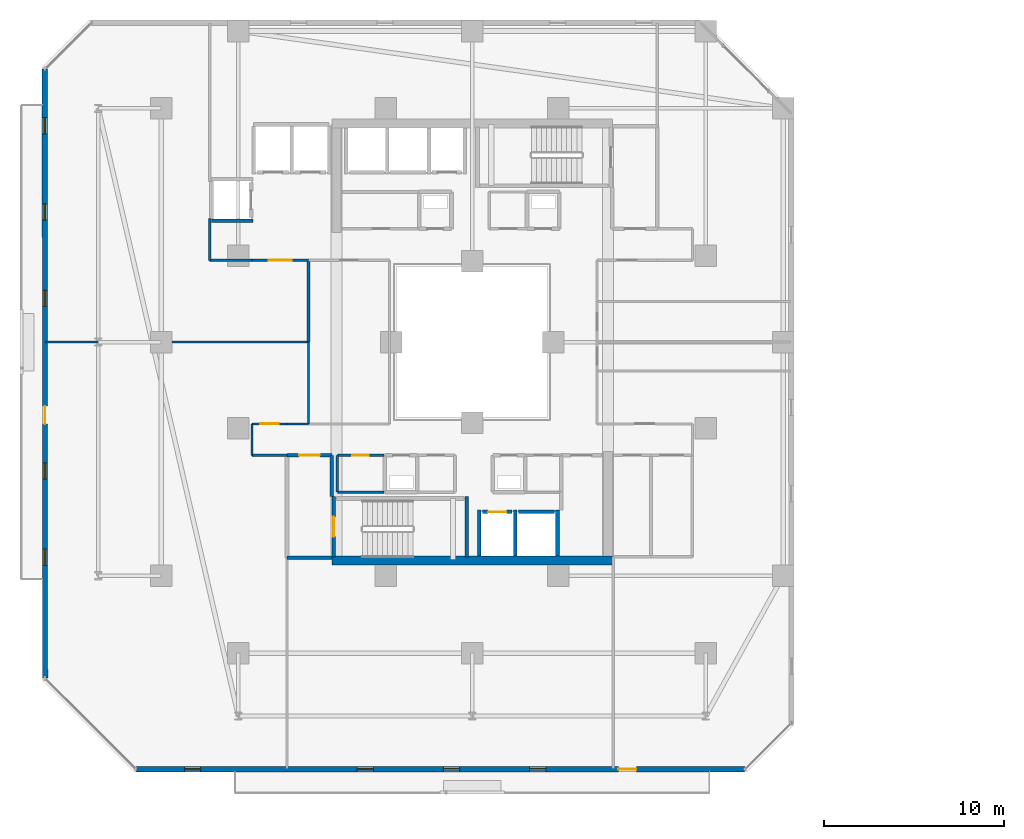
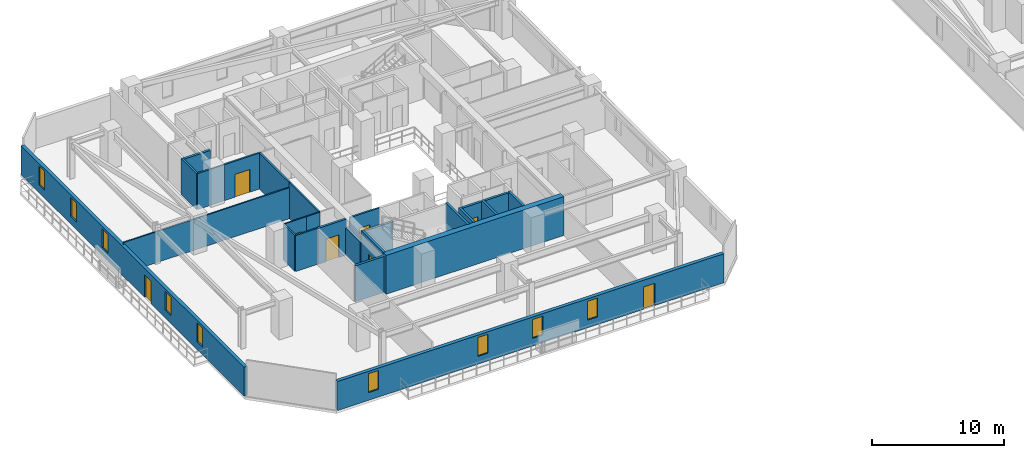
# One storey, part 18 of 33: 27 walls, 9 windows, 8 doors, 17 openings.
"""IFC4 building model written with IfcOpenShell, lengths in metres."""

from ifc_helpers import new_model, si_unit, direction, frame, frame_2d, origin, place, context, subcontext, project, spatial, rectangle, extrude, material, layer, layer_set, type_object, element, fill, save


model = new_model("IFC4")

# Units and contexts
model_context = context("Model", 3, precision=1e-05, world=origin(), true_north=direction((0.0, 1.0)))
body_context = subcontext(model_context, "Body", "Model", "MODEL_VIEW")
ifc_project = project(units=[si_unit("LENGTHUNIT", "METRE"), si_unit("AREAUNIT", "SQUARE_METRE"), si_unit("VOLUMEUNIT", "CUBIC_METRE"), si_unit("PLANEANGLEUNIT", "RADIAN"), si_unit("MASSUNIT", "GRAM", prefix="KILO")], contexts=[model_context])

# Site, building, storey
site_placement = place(None, origin())
site = spatial("IfcSite", under=ifc_project, at=site_placement, CompositionType="ELEMENT")
building_placement = place(site_placement, origin())
building = spatial("IfcBuilding", under=site, at=building_placement, Name="Thornwick Lancets Civic Towers", CompositionType="ELEMENT")
storey_placement = place(building_placement, frame((0.0, 0.0, 134.10009765625)))
storey = spatial("IfcBuildingStorey", under=building, at=storey_placement, Name="L35", CompositionType="ELEMENT", Elevation=134.10009765625)

# Wall, opening, door
ifc_material_1 = material(Name="Concrete blockwork C40/50", Category="masonry")
ifc_layer_1 = layer(ifc_material_1, 0.199951171875, Name="Concrete blockwork C40/50")
ifc_layer_set_1 = layer_set([ifc_layer_1], Name="Concrete blockwork C40/50")
wall_type_1 = type_object("IfcWallType", Name="WALL_COMP_200", PredefinedType="STANDARD", material=ifc_layer_set_1)
wall_1_placement = place(storey_placement, frame((26.080078125, 17.550048828125, 0.0), z_axis=(0.0, 0.0, 1.0), x_axis=(1.0, 0.0, 0.0)))
wall_1 = element("IfcWall", 1, at=wall_1_placement, inside=storey, type_object=wall_type_1, Name="L35 Hoistway Front Wall FL-A1", PredefinedType="STANDARD", context=body_context, shape_type="SweptSolid", body=[
    extrude(rectangle(XDim=1.639892578125, YDim=0.199951171875, at=frame_2d((0.81982421875, 0.0))), origin(), (0.0, 0.0, 1.0), 3.33984375),
])
opening_1_placement = place(wall_1_placement, frame((0.31005859375, 0.0, 0.0)))
opening_1 = element("IfcOpeningElement", 2, at=opening_1_placement, cuts=wall_1, Name="Opening LD-FL-A1", PredefinedType="OPENING", context=body_context, shape_type="SweptSolid", body=[
    extrude(rectangle(XDim=1.02001953125, YDim=2.06005859375, at=frame_2d((0.510009765625, 1.030029296875))), frame((0.0, 0.10986328125, 0.0), z_axis=(0.0, -1.0, 0.0), x_axis=(1.0, 0.0, 0.0)), (0.0, 0.0, 1.0), 0.219970703125),
])
ifc_material_2 = material(Name="Brushed bronze stainless steel", Category="steel")
door_type_1 = type_object("IfcDoorType", Name="DOOR_LIFT_SLIDE", OperationType="SLIDING_TO_LEFT", PredefinedType="DOOR", material=ifc_material_2)
door_1_placement = place(opening_1_placement, origin())
door_1 = element("IfcDoor", 3, at=door_1_placement, inside=storey, type_object=door_type_1, Name="L35 Sliding Lift Landing Door LD-FL-A1", OperationType="SLIDING_TO_LEFT", OverallHeight=2.06005859375, OverallWidth=1.02001953125, PredefinedType="DOOR", context=body_context, shape_type="SweptSolid", body=[
    extrude(rectangle(XDim=1.02001953125, YDim=2.06005859375, at=frame_2d((0.510009765625, 1.030029296875))), frame((0.0, 0.02490234375, 0.0), z_axis=(0.0, -1.0, 0.0), x_axis=(1.0, 0.0, 0.0)), (0.0, 0.0, 1.0), 0.050048828125),
])
fill(opening_1, door_1)

# Walls
wall_2_placement = place(storey_placement, frame((28.080078125, 17.550048828125, 0.0), z_axis=(0.0, 0.0, 1.0), x_axis=(1.0, 0.0, 0.0)))
element("IfcWall", 4, at=wall_2_placement, inside=storey, type_object=wall_type_1, Name="L35 Hoistway Front Wall PL-AH1", PredefinedType="STANDARD", context=body_context, shape_type="SweptSolid", body=[
    extrude(rectangle(XDim=1.989990234375, YDim=0.199951171875, at=frame_2d((0.9951171875, 0.0))), origin(), (0.0, 0.0, 1.0), 3.33984375),
])
for number, where, z_axis, x_axis, name in (
    (5, (27.89990234375, 15.112060546875, 0.0), (0.0, 0.0, 1.0), (0.0, 1.0, 0.0), "L35 Hoistway Shaft Wall FL-A1 E"),
    (6, (25.89990234375, 15.112060546875, 0.0), (0.0, 0.0, 1.0), (0.0, 1.0, 0.0), "L35 Hoistway Shaft Wall FL-A1 W"),
    (7, (30.25, 15.112060546875, 0.0), (0.0, 0.0, 1.0), (0.0, 1.0, 0.0), "L35 Hoistway Shaft Wall PL-AH1 E"),
):
    element("IfcWall", number, at=place(storey_placement, frame(where, z_axis=z_axis, x_axis=x_axis)), inside=storey, type_object=wall_type_1, Name=name, PredefinedType="STANDARD", context=body_context, shape_type="SweptSolid", body=[
        extrude(rectangle(XDim=2.535888671875, YDim=0.199951171875, at=frame_2d((1.26806640625, 0.0))), origin(), (0.0, 0.0, 1.0), 3.33984375),
    ])
wall_3_placement = place(storey_placement, frame((11.001953125, 33.75, 0.0), z_axis=(0.0, 0.0, 1.0), x_axis=(1.0, 0.0, 0.0)))
element("IfcWall", 8, at=wall_3_placement, inside=storey, type_object=wall_type_1, Name="L35 Hoistway Shaft Wall PL-AM3 S", PredefinedType="STANDARD", context=body_context, shape_type="SweptSolid", body=[
    extrude(rectangle(XDim=2.296142578125, YDim=0.199951171875, at=frame_2d((1.14794921875, 0.0))), origin(), (0.0, 0.0, 1.0), 3.33984375),
])
wall_4_placement = place(storey_placement, frame((15.199951171875, 15.0, 0.0), z_axis=(0.0, 0.0, 1.0), x_axis=(1.0, 0.0, 0.0)))
element("IfcWall", 9, at=wall_4_placement, inside=storey, type_object=wall_type_1, Name="L35 Partition L35-A-FFLOB1 E1", PredefinedType="STANDARD", context=body_context, shape_type="SweptSolid", body=[
    extrude(rectangle(XDim=2.5, YDim=0.199951171875, at=frame_2d((1.25, 0.0))), origin(), (0.0, 0.0, 1.0), 3.33984375),
])
wall_5_placement = place(storey_placement, frame((17.699951171875, 18.39990234375, 0.0), z_axis=(0.0, 0.0, 1.0), x_axis=(0.0, 1.0, 0.0)))
element("IfcWall", 10, at=wall_5_placement, inside=storey, type_object=wall_type_1, Name="L35 Partition L35-A-FFLOB1 E2", PredefinedType="STANDARD", context=body_context, shape_type="SweptSolid", body=[
    extrude(rectangle(XDim=2.300048828125, YDim=0.199951171875, at=frame_2d((1.14990234375, 0.0))), origin(), (0.0, 0.0, 1.0), 2.544921875),
])

# Wall, opening, door
wall_6_placement = place(storey_placement, frame((17.699951171875, 20.699951171875, 0.0), z_axis=(0.0, 0.0, 1.0), x_axis=(-1.0, 0.0, 0.0)))
wall_6 = element("IfcWall", 11, at=wall_6_placement, inside=storey, type_object=wall_type_1, Name="L35 Partition L35-A-FFLOB1 E3", PredefinedType="STANDARD", context=body_context, shape_type="SweptSolid", body=[
    extrude(rectangle(XDim=2.5, YDim=0.199951171875, at=frame_2d((1.25, 0.0))), origin(), (0.0, 0.0, 1.0), 3.33984375),
])
opening_2_placement = place(wall_6_placement, frame((0.675048828125, 0.0, 0.0)))
opening_2 = element("IfcOpeningElement", 12, at=opening_2_placement, cuts=wall_6, Name="Opening D-L35-1575", PredefinedType="OPENING", context=body_context, shape_type="SweptSolid", body=[
    extrude(rectangle(XDim=1.14990234375, YDim=2.10009765625, at=frame_2d((0.574951171875, 1.050048828125))), frame((0.0, 0.10986328125, 0.0), z_axis=(0.0, -1.0, 0.0), x_axis=(1.0, 0.0, 0.0)), (0.0, 0.0, 1.0), 0.219970703125),
])
ifc_material_3 = material(Name="Glazed fire-resisting steel", Category="steel")
door_type_2 = type_object("IfcDoorType", Name="DOOR_LOBBY_FD60", OperationType="NOTDEFINED", PredefinedType="DOOR", material=ifc_material_3)
door_2_placement = place(opening_2_placement, origin())
door_2 = element("IfcDoor", 13, at=door_2_placement, inside=storey, type_object=door_type_2, Name="L35 South Firefighting Lobby 1 Door", OperationType="SINGLE_SWING_RIGHT", OverallHeight=2.10009765625, OverallWidth=1.14990234375, PredefinedType="DOOR", context=body_context, shape_type="SweptSolid", body=[
    extrude(rectangle(XDim=1.14990234375, YDim=2.10009765625, at=frame_2d((0.574951171875, 1.050048828125))), frame((0.0, 0.02490234375, 0.0), z_axis=(0.0, -1.0, 0.0), x_axis=(1.0, 0.0, 0.0)), (0.0, 0.0, 1.0), 0.050048828125),
])
fill(opening_2, door_2)

# Wall
ifc_material_4 = material(Name="Concrete C50/60", Category="concrete")
ifc_layer_2 = layer(ifc_material_4, 0.5, Name="Concrete C50/60")
ifc_layer_set_2 = layer_set([ifc_layer_2], Name="Concrete C50/60")
wall_type_2 = type_object("IfcWallType", Name="WALL_CORE_500", PredefinedType="SHEAR", material=ifc_layer_set_2)
wall_7_placement = place(storey_placement, frame((17.699951171875, 14.85009765625, 0.0), z_axis=(0.0, 0.0, 1.0), x_axis=(1.0, 0.0, 0.0)))
element("IfcWall", 14, at=wall_7_placement, inside=storey, type_object=wall_type_2, Name="L35 Split Core A1 Shear Wall S", PredefinedType="SHEAR", context=body_context, shape_type="SweptSolid", body=[
    extrude(rectangle(XDim=15.60009765625, YDim=0.5, at=frame_2d((7.800048828125, 0.0))), origin(), (0.0, 0.0, 1.0), 3.599853515625),
])

# Wall, openings, door, windows
ifc_material_5 = material(Name="Insulated russet terracotta rainscreen on concrete C40/50", Category="masonry")
ifc_layer_3 = layer(ifc_material_5, 0.300048828125, Name="Insulated russet terracotta rainscreen on concrete C40/50")
ifc_layer_set_3 = layer_set([ifc_layer_3], Name="Insulated russet terracotta rainscreen on concrete C40/50")
wall_type_3 = type_object("IfcWallType", Name="WALL_EXT_RUSSET_300", PredefinedType="STANDARD", material=ifc_layer_set_3)
wall_8_placement = place(storey_placement, frame((6.800537109375, 3.24365234375, 0.0), z_axis=(0.0, 0.0, 1.0), x_axis=(0.999999969988, -0.000244999128, 0.0)))
wall_8 = element("IfcWall", 15, at=wall_8_placement, inside=storey, type_object=wall_type_3, Name="L35 Tower A Terracotta Facade Wall E0", PredefinedType="STANDARD", context=body_context, shape_type="SweptSolid", body=[
    extrude(rectangle(XDim=33.880859375, YDim=0.300048828125, at=frame_2d((16.9404296875, 0.0))), origin(), (0.0, 0.0, 1.0), 2.699951171875),
])
opening_3_placement = place(wall_8_placement, frame((26.84033203125, 0.0, 0.0)))
opening_3 = element("IfcOpeningElement", 16, at=opening_3_placement, cuts=wall_8, Name="Opening D-BL-L35-AS", PredefinedType="OPENING", context=body_context, shape_type="SweptSolid", body=[
    extrude(rectangle(XDim=1.0, YDim=2.080078125, at=frame_2d((0.5, 1.0400390625))), frame((0.0, 0.16015625, 0.0), z_axis=(0.0, -1.0, 0.0), x_axis=(1.0, 0.0, 0.0)), (0.0, 0.0, 1.0), 0.320068359375),
])
opening_4_placement = place(wall_8_placement, frame((2.699951171875, 0.0, 0.719970703125)))
opening_4 = element("IfcOpeningElement", 17, at=opening_4_placement, cuts=wall_8, Name="Opening WL-01", PredefinedType="OPENING", context=body_context, shape_type="SweptSolid", body=[
    extrude(rectangle(XDim=0.89990234375, YDim=1.75, at=frame_2d((0.449951171875, 0.875))), frame((0.0, 0.16015625, 0.0), z_axis=(0.0, -1.0, 0.0), x_axis=(1.0, 0.0, 0.0)), (0.0, 0.0, 1.0), 0.320068359375),
])
opening_5_placement = place(wall_8_placement, frame((12.300048828125, 0.0, 0.719970703125)))
opening_5 = element("IfcOpeningElement", 18, at=opening_5_placement, cuts=wall_8, Name="Opening WL-01", PredefinedType="OPENING", context=body_context, shape_type="SweptSolid", body=[
    extrude(rectangle(XDim=0.89990234375, YDim=1.75, at=frame_2d((0.449951171875, 0.875))), frame((0.0, 0.16015625, 0.0), z_axis=(0.0, -1.0, 0.0), x_axis=(1.0, 0.0, 0.0)), (0.0, 0.0, 1.0), 0.320068359375),
])
opening_6_placement = place(wall_8_placement, frame((17.10009765625, 0.0, 0.719970703125)))
opening_6 = element("IfcOpeningElement", 19, at=opening_6_placement, cuts=wall_8, Name="Opening WL-01", PredefinedType="OPENING", context=body_context, shape_type="SweptSolid", body=[
    extrude(rectangle(XDim=0.89990234375, YDim=1.75, at=frame_2d((0.449951171875, 0.875))), frame((0.0, 0.16015625, 0.0), z_axis=(0.0, -1.0, 0.0), x_axis=(1.0, 0.0, 0.0)), (0.0, 0.0, 1.0), 0.320068359375),
])
opening_7_placement = place(wall_8_placement, frame((21.89990234375, 0.0, 0.719970703125)))
opening_7 = element("IfcOpeningElement", 20, at=opening_7_placement, cuts=wall_8, Name="Opening WL-01", PredefinedType="OPENING", context=body_context, shape_type="SweptSolid", body=[
    extrude(rectangle(XDim=0.89990234375, YDim=1.75, at=frame_2d((0.449951171875, 0.875))), frame((0.0, 0.16015625, 0.0), z_axis=(0.0, -1.0, 0.0), x_axis=(1.0, 0.0, 0.0)), (0.0, 0.0, 1.0), 0.320068359375),
])
ifc_material_6 = material(Name="Thermally broken glazed loggia doorset")
door_type_3 = type_object("IfcDoorType", Name="DOOR_BALC_1000", OperationType="NOTDEFINED", PredefinedType="DOOR", material=ifc_material_6)
door_3_placement = place(opening_3_placement, origin())
door_3 = element("IfcDoor", 21, at=door_3_placement, inside=storey, type_object=door_type_3, Name="L35 Tower A Loggia Balcony Door S", OperationType="SINGLE_SWING_RIGHT", OverallHeight=2.080078125, OverallWidth=1.0, PredefinedType="DOOR", context=body_context, shape_type="SweptSolid", body=[
    extrude(rectangle(XDim=1.0, YDim=2.080078125, at=frame_2d((0.5, 1.0400390625))), frame((0.0, 0.02490234375, 0.0), z_axis=(0.0, -1.0, 0.0), x_axis=(1.0, 0.0, 0.0)), (0.0, 0.0, 1.0), 0.050048828125),
])
fill(opening_3, door_3)
ifc_material_7 = material(Name="Clear low-e double glazing in bronze frame", Category="glass")
window_type = type_object("IfcWindowType", Name="WIN_LANCET_900", PartitioningType="SINGLE_PANEL", PredefinedType="WINDOW", material=ifc_material_7)
window_1_placement = place(opening_4_placement, origin())
window_1 = element("IfcWindow", 22, at=window_1_placement, inside=storey, type_object=window_type, Name="L35 Tower A Staggered Lancet Window E0-1", OverallHeight=1.75, OverallWidth=0.89990234375, PartitioningType="SINGLE_PANEL", PredefinedType="WINDOW", context=body_context, shape_type="SweptSolid", body=[
    extrude(rectangle(XDim=0.89990234375, YDim=1.75, at=frame_2d((0.449951171875, 0.875))), frame((0.0, 0.030029296875, 0.0), z_axis=(0.0, -1.0, 0.0), x_axis=(1.0, 0.0, 0.0)), (0.0, 0.0, 1.0), 0.06005859375),
])
fill(opening_4, window_1)
window_2_placement = place(opening_5_placement, origin())
window_2 = element("IfcWindow", 23, at=window_2_placement, inside=storey, type_object=window_type, Name="L35 Tower A Staggered Lancet Window E0-2", OverallHeight=1.75, OverallWidth=0.89990234375, PartitioningType="SINGLE_PANEL", PredefinedType="WINDOW", context=body_context, shape_type="SweptSolid", body=[
    extrude(rectangle(XDim=0.89990234375, YDim=1.75, at=frame_2d((0.449951171875, 0.875))), frame((0.0, 0.030029296875, 0.0), z_axis=(0.0, -1.0, 0.0), x_axis=(1.0, 0.0, 0.0)), (0.0, 0.0, 1.0), 0.06005859375),
])
fill(opening_5, window_2)
window_3_placement = place(opening_6_placement, origin())
window_3 = element("IfcWindow", 24, at=window_3_placement, inside=storey, type_object=window_type, Name="L35 Tower A Staggered Lancet Window E0-3", OverallHeight=1.75, OverallWidth=0.89990234375, PartitioningType="SINGLE_PANEL", PredefinedType="WINDOW", context=body_context, shape_type="SweptSolid", body=[
    extrude(rectangle(XDim=0.89990234375, YDim=1.75, at=frame_2d((0.449951171875, 0.875))), frame((0.0, 0.030029296875, 0.0), z_axis=(0.0, -1.0, 0.0), x_axis=(1.0, 0.0, 0.0)), (0.0, 0.0, 1.0), 0.06005859375),
])
fill(opening_6, window_3)
window_4_placement = place(opening_7_placement, origin())
window_4 = element("IfcWindow", 25, at=window_4_placement, inside=storey, type_object=window_type, Name="L35 Tower A Staggered Lancet Window E0-4", OverallHeight=1.75, OverallWidth=0.89990234375, PartitioningType="SINGLE_PANEL", PredefinedType="WINDOW", context=body_context, shape_type="SweptSolid", body=[
    extrude(rectangle(XDim=0.89990234375, YDim=1.75, at=frame_2d((0.449951171875, 0.875))), frame((0.0, 0.030029296875, 0.0), z_axis=(0.0, -1.0, 0.0), x_axis=(1.0, 0.0, 0.0)), (0.0, 0.0, 1.0), 0.06005859375),
])
fill(opening_7, window_4)

wall_9_placement = place(storey_placement, frame((1.7353515625, 42.181396484375, 0.0), z_axis=(0.0, 0.0, 1.0), x_axis=(0.000244999128, -0.999999969988, 0.0)))
wall_9 = element("IfcWall", 26, at=wall_9_placement, inside=storey, type_object=wall_type_3, Name="L35 Tower A Terracotta Facade Wall E6", PredefinedType="STANDARD", context=body_context, shape_type="SweptSolid", body=[
    extrude(rectangle(XDim=33.880859375, YDim=0.300048828125, at=frame_2d((16.9404296875, 0.0))), origin(), (0.0, 0.0, 1.0), 2.699951171875),
])
opening_8_placement = place(wall_9_placement, frame((18.740478515625, 0.0, 0.0)))
opening_8 = element("IfcOpeningElement", 27, at=opening_8_placement, cuts=wall_9, Name="Opening D-BL-L35-AW", PredefinedType="OPENING", context=body_context, shape_type="SweptSolid", body=[
    extrude(rectangle(XDim=1.0, YDim=2.080078125, at=frame_2d((0.5, 1.0400390625))), frame((0.0, 0.16015625, 0.0), z_axis=(0.0, -1.0, 0.0), x_axis=(1.0, 0.0, 0.0)), (0.0, 0.0, 1.0), 0.320068359375),
])
opening_9_placement = place(wall_9_placement, frame((2.699951171875, 0.0, 0.719970703125)))
opening_9 = element("IfcOpeningElement", 28, at=opening_9_placement, cuts=wall_9, Name="Opening WL-01", PredefinedType="OPENING", context=body_context, shape_type="SweptSolid", body=[
    extrude(rectangle(XDim=0.89990234375, YDim=1.75, at=frame_2d((0.449951171875, 0.875))), frame((0.0, 0.16015625, 0.0), z_axis=(0.0, -1.0, 0.0), x_axis=(1.0, 0.0, 0.0)), (0.0, 0.0, 1.0), 0.320068359375),
])
opening_10_placement = place(wall_9_placement, frame((7.5, 0.0, 0.719970703125)))
opening_10 = element("IfcOpeningElement", 29, at=opening_10_placement, cuts=wall_9, Name="Opening WL-01", PredefinedType="OPENING", context=body_context, shape_type="SweptSolid", body=[
    extrude(rectangle(XDim=0.89990234375, YDim=1.75, at=frame_2d((0.449951171875, 0.875))), frame((0.0, 0.16015625, 0.0), z_axis=(0.0, -1.0, 0.0), x_axis=(1.0, 0.0, 0.0)), (0.0, 0.0, 1.0), 0.320068359375),
])
opening_11_placement = place(wall_9_placement, frame((12.300048828125, 0.0, 0.719970703125)))
opening_11 = element("IfcOpeningElement", 30, at=opening_11_placement, cuts=wall_9, Name="Opening WL-01", PredefinedType="OPENING", context=body_context, shape_type="SweptSolid", body=[
    extrude(rectangle(XDim=0.89990234375, YDim=1.75, at=frame_2d((0.449951171875, 0.875))), frame((0.0, 0.16015625, 0.0), z_axis=(0.0, -1.0, 0.0), x_axis=(1.0, 0.0, 0.0)), (0.0, 0.0, 1.0), 0.320068359375),
])
opening_12_placement = place(wall_9_placement, frame((21.89990234375, 0.0, 0.719970703125)))
opening_12 = element("IfcOpeningElement", 31, at=opening_12_placement, cuts=wall_9, Name="Opening WL-01", PredefinedType="OPENING", context=body_context, shape_type="SweptSolid", body=[
    extrude(rectangle(XDim=0.89990234375, YDim=1.75, at=frame_2d((0.449951171875, 0.875))), frame((0.0, 0.16015625, 0.0), z_axis=(0.0, -1.0, 0.0), x_axis=(1.0, 0.0, 0.0)), (0.0, 0.0, 1.0), 0.320068359375),
])
opening_13_placement = place(wall_9_placement, frame((26.699951171875, 0.0, 0.719970703125)))
opening_13 = element("IfcOpeningElement", 32, at=opening_13_placement, cuts=wall_9, Name="Opening WL-01", PredefinedType="OPENING", context=body_context, shape_type="SweptSolid", body=[
    extrude(rectangle(XDim=0.89990234375, YDim=1.75, at=frame_2d((0.449951171875, 0.875))), frame((0.0, 0.16015625, 0.0), z_axis=(0.0, -1.0, 0.0), x_axis=(1.0, 0.0, 0.0)), (0.0, 0.0, 1.0), 0.320068359375),
])
door_4_placement = place(opening_8_placement, origin())
door_4 = element("IfcDoor", 33, at=door_4_placement, inside=storey, type_object=door_type_3, Name="L35 Tower A Loggia Balcony Door W", OperationType="SINGLE_SWING_RIGHT", OverallHeight=2.080078125, OverallWidth=1.0, PredefinedType="DOOR", context=body_context, shape_type="SweptSolid", body=[
    extrude(rectangle(XDim=1.0, YDim=2.080078125, at=frame_2d((0.5, 1.0400390625))), frame((0.0, 0.02490234375, 0.0), z_axis=(0.0, -1.0, 0.0), x_axis=(1.0, 0.0, 0.0)), (0.0, 0.0, 1.0), 0.050048828125),
])
fill(opening_8, door_4)
window_5_placement = place(opening_9_placement, origin())
window_5 = element("IfcWindow", 34, at=window_5_placement, inside=storey, type_object=window_type, Name="L35 Tower A Staggered Lancet Window E6-1", OverallHeight=1.75, OverallWidth=0.89990234375, PartitioningType="SINGLE_PANEL", PredefinedType="WINDOW", context=body_context, shape_type="SweptSolid", body=[
    extrude(rectangle(XDim=0.89990234375, YDim=1.75, at=frame_2d((0.449951171875, 0.875))), frame((0.0, 0.030029296875, 0.0), z_axis=(0.0, -1.0, 0.0), x_axis=(1.0, 0.0, 0.0)), (0.0, 0.0, 1.0), 0.06005859375),
])
fill(opening_9, window_5)
window_6_placement = place(opening_10_placement, origin())
window_6 = element("IfcWindow", 35, at=window_6_placement, inside=storey, type_object=window_type, Name="L35 Tower A Staggered Lancet Window E6-2", OverallHeight=1.75, OverallWidth=0.89990234375, PartitioningType="SINGLE_PANEL", PredefinedType="WINDOW", context=body_context, shape_type="SweptSolid", body=[
    extrude(rectangle(XDim=0.89990234375, YDim=1.75, at=frame_2d((0.449951171875, 0.875))), frame((0.0, 0.030029296875, 0.0), z_axis=(0.0, -1.0, 0.0), x_axis=(1.0, 0.0, 0.0)), (0.0, 0.0, 1.0), 0.06005859375),
])
fill(opening_10, window_6)
window_7_placement = place(opening_11_placement, origin())
window_7 = element("IfcWindow", 36, at=window_7_placement, inside=storey, type_object=window_type, Name="L35 Tower A Staggered Lancet Window E6-3", OverallHeight=1.75, OverallWidth=0.89990234375, PartitioningType="SINGLE_PANEL", PredefinedType="WINDOW", context=body_context, shape_type="SweptSolid", body=[
    extrude(rectangle(XDim=0.89990234375, YDim=1.75, at=frame_2d((0.449951171875, 0.875))), frame((0.0, 0.030029296875, 0.0), z_axis=(0.0, -1.0, 0.0), x_axis=(1.0, 0.0, 0.0)), (0.0, 0.0, 1.0), 0.06005859375),
])
fill(opening_11, window_7)
window_8_placement = place(opening_12_placement, origin())
window_8 = element("IfcWindow", 37, at=window_8_placement, inside=storey, type_object=window_type, Name="L35 Tower A Staggered Lancet Window E6-4", OverallHeight=1.75, OverallWidth=0.89990234375, PartitioningType="SINGLE_PANEL", PredefinedType="WINDOW", context=body_context, shape_type="SweptSolid", body=[
    extrude(rectangle(XDim=0.89990234375, YDim=1.75, at=frame_2d((0.449951171875, 0.875))), frame((0.0, 0.030029296875, 0.0), z_axis=(0.0, -1.0, 0.0), x_axis=(1.0, 0.0, 0.0)), (0.0, 0.0, 1.0), 0.06005859375),
])
fill(opening_12, window_8)
window_9_placement = place(opening_13_placement, origin())
window_9 = element("IfcWindow", 38, at=window_9_placement, inside=storey, type_object=window_type, Name="L35 Tower A Staggered Lancet Window E6-5", OverallHeight=1.75, OverallWidth=0.89990234375, PartitioningType="SINGLE_PANEL", PredefinedType="WINDOW", context=body_context, shape_type="SweptSolid", body=[
    extrude(rectangle(XDim=0.89990234375, YDim=1.75, at=frame_2d((0.449951171875, 0.875))), frame((0.0, 0.030029296875, 0.0), z_axis=(0.0, -1.0, 0.0), x_axis=(1.0, 0.0, 0.0)), (0.0, 0.0, 1.0), 0.06005859375),
])
fill(opening_13, window_9)

# Wall
ifc_material_8 = material(Name="Acoustic gypsum board partition")
ifc_layer_4 = layer(ifc_material_8, 0.1201171875, Name="Acoustic gypsum board partition")
ifc_layer_set_4 = layer_set([ifc_layer_4], Name="Acoustic gypsum board partition")
wall_type_4 = type_object("IfcWallType", Name="WALL_PART_120", PredefinedType="PARTITIONING", material=ifc_layer_set_4)
wall_10_placement = place(storey_placement, frame((16.39990234375, 22.449951171875, 0.0), z_axis=(0.0, 0.0, 1.0), x_axis=(-1.0, 0.0, 0.0)))
element("IfcWall", 39, at=wall_10_placement, inside=storey, type_object=wall_type_4, Name="L35 Partition L35-A-W1 E1", PredefinedType="PARTITIONING", context=body_context, shape_type="SweptSolid", body=[
    extrude(rectangle(XDim=1.199951171875, YDim=0.1201171875, at=frame_2d((0.60009765625, 0.0))), origin(), (0.0, 0.0, 1.0), 3.33984375),
])

# Wall, opening, door
wall_11_placement = place(storey_placement, frame((15.199951171875, 22.449951171875, 0.0), z_axis=(0.0, 0.0, 1.0), x_axis=(-1.0, 0.0, 0.0)))
wall_11 = element("IfcWall", 40, at=wall_11_placement, inside=storey, type_object=wall_type_4, Name="L35 Partition L35-A-W1 E2", PredefinedType="PARTITIONING", context=body_context, shape_type="SweptSolid", body=[
    extrude(rectangle(XDim=1.949951171875, YDim=0.1201171875, at=frame_2d((0.97509765625, 0.0))), origin(), (0.0, 0.0, 1.0), 3.33984375),
])
opening_14_placement = place(wall_11_placement, frame((0.449951171875, 0.0, 0.0)))
opening_14 = element("IfcOpeningElement", 41, at=opening_14_placement, cuts=wall_11, Name="Opening D-L35-1601", PredefinedType="OPENING", context=body_context, shape_type="SweptSolid", body=[
    extrude(rectangle(XDim=1.050048828125, YDim=2.10009765625, at=frame_2d((0.52490234375, 1.050048828125))), frame((0.0, 0.070068359375, 0.0), z_axis=(0.0, -1.0, 0.0), x_axis=(1.0, 0.0, 0.0)), (0.0, 0.0, 1.0), 0.14013671875),
])
ifc_material_9 = material(Name="Glazed European oak executive doorset")
door_type_4 = type_object("IfcDoorType", Name="DOOR_OFFICE_1050", OperationType="NOTDEFINED", PredefinedType="DOOR", material=ifc_material_9)
door_5_placement = place(opening_14_placement, origin())
door_5 = element("IfcDoor", 42, at=door_5_placement, inside=storey, type_object=door_type_4, Name="L35 Tower A Ministry Directorate Office W1 Door", OperationType="SINGLE_SWING_RIGHT", OverallHeight=2.10009765625, OverallWidth=1.050048828125, PredefinedType="DOOR", context=body_context, shape_type="SweptSolid", body=[
    extrude(rectangle(XDim=1.050048828125, YDim=2.10009765625, at=frame_2d((0.52490234375, 1.050048828125))), frame((0.0, 0.02490234375, 0.0), z_axis=(0.0, -1.0, 0.0), x_axis=(1.0, 0.0, 0.0)), (0.0, 0.0, 1.0), 0.050048828125),
])
fill(opening_14, door_5)

# Walls
wall_12_placement = place(storey_placement, frame((13.25, 22.449951171875, 0.0), z_axis=(0.0, 0.0, 1.0), x_axis=(0.0, -1.0, 0.0)))
element("IfcWall", 43, at=wall_12_placement, inside=storey, type_object=wall_type_4, Name="L35 Partition L35-A-W1 E3", PredefinedType="PARTITIONING", context=body_context, shape_type="SweptSolid", body=[
    extrude(rectangle(XDim=1.75, YDim=0.1201171875, at=frame_2d((0.875, 0.0))), origin(), (0.0, 0.0, 1.0), 3.33984375),
])
wall_13_placement = place(storey_placement, frame((13.25, 20.699951171875, 0.0), z_axis=(0.0, 0.0, 1.0), x_axis=(1.0, 0.0, 0.0)))
element("IfcWall", 44, at=wall_13_placement, inside=storey, type_object=wall_type_4, Name="L35 Partition L35-A-W1 E4", PredefinedType="PARTITIONING", context=body_context, shape_type="SweptSolid", body=[
    extrude(rectangle(XDim=1.949951171875, YDim=0.1201171875, at=frame_2d((0.97509765625, 0.0))), origin(), (0.0, 0.0, 1.0), 3.33984375),
])
wall_14_placement = place(storey_placement, frame((1.780029296875, 27.0, 0.0), z_axis=(0.0, 0.0, 1.0), x_axis=(1.0, 0.0, 0.0)))
element("IfcWall", 45, at=wall_14_placement, inside=storey, type_object=wall_type_4, Name="L35 Partition L35-A-W1 E10", PredefinedType="PARTITIONING", context=body_context, shape_type="SweptSolid", body=[
    extrude(rectangle(XDim=14.619873046875, YDim=0.1201171875, at=frame_2d((7.31005859375, 0.0))), origin(), (0.0, 0.0, 1.0), 2.877685546875),
])
wall_15_placement = place(storey_placement, frame((16.39990234375, 27.0, 0.0), z_axis=(0.0, 0.0, 1.0), x_axis=(0.0, -1.0, 0.0)))
element("IfcWall", 46, at=wall_15_placement, inside=storey, type_object=wall_type_4, Name="L35 Partition L35-A-W1 E11", PredefinedType="PARTITIONING", context=body_context, shape_type="SweptSolid", body=[
    extrude(rectangle(XDim=4.550048828125, YDim=0.1201171875, at=frame_2d((2.27490234375, 0.0))), origin(), (0.0, 0.0, 1.0), 3.33984375),
])
ifc_material_10 = material(Name="Twin-stud acoustic gypsum board")
ifc_layer_5 = layer(ifc_material_10, 0.14990234375, Name="Twin-stud acoustic gypsum board")
ifc_layer_set_5 = layer_set([ifc_layer_5], Name="Twin-stud acoustic gypsum board")
wall_type_5 = type_object("IfcWallType", Name="WALL_PART_150", PredefinedType="PARTITIONING", material=ifc_layer_set_5)
wall_16_placement = place(storey_placement, frame((18.0, 18.64990234375, 0.0), z_axis=(0.0, 0.0, 1.0), x_axis=(1.0, 0.0, 0.0)))
element("IfcWall", 47, at=wall_16_placement, inside=storey, type_object=wall_type_5, Name="L35 Partition L35-A-MWC E1", PredefinedType="PARTITIONING", context=body_context, shape_type="SweptSolid", body=[
    extrude(rectangle(XDim=2.60009765625, YDim=0.14990234375, at=frame_2d((1.300048828125, 0.0))), origin(), (0.0, 0.0, 1.0), 3.33984375),
])

# Wall, opening, door
wall_17_placement = place(storey_placement, frame((20.60009765625, 20.699951171875, 0.0), z_axis=(0.0, 0.0, 1.0), x_axis=(-1.0, 0.0, 0.0)))
wall_17 = element("IfcWall", 48, at=wall_17_placement, inside=storey, type_object=wall_type_5, Name="L35 Partition L35-A-MWC E3", PredefinedType="PARTITIONING", context=body_context, shape_type="SweptSolid", body=[
    extrude(rectangle(XDim=2.60009765625, YDim=0.14990234375, at=frame_2d((1.300048828125, 0.0))), origin(), (0.0, 0.0, 1.0), 3.33984375),
])
opening_15_placement = place(wall_17_placement, frame((0.840087890625, 0.0, 0.0)))
opening_15 = element("IfcOpeningElement", 49, at=opening_15_placement, cuts=wall_17, Name="Opening D-L35-1581", PredefinedType="OPENING", context=body_context, shape_type="SweptSolid", body=[
    extrude(rectangle(XDim=0.919921875, YDim=2.080078125, at=frame_2d((0.4599609375, 1.0400390625))), frame((0.0, 0.0849609375, 0.0), z_axis=(0.0, -1.0, 0.0), x_axis=(1.0, 0.0, 0.0)), (0.0, 0.0, 1.0), 0.169921875),
])
ifc_material_11 = material(Name="Moisture-resistant oak doorset")
door_type_5 = type_object("IfcDoorType", Name="DOOR_WC_900", OperationType="NOTDEFINED", PredefinedType="DOOR", material=ifc_material_11)
door_6_placement = place(opening_15_placement, origin())
door_6 = element("IfcDoor", 50, at=door_6_placement, inside=storey, type_object=door_type_5, Name="L35 Tower A Male WC Door", OperationType="SINGLE_SWING_RIGHT", OverallHeight=2.080078125, OverallWidth=0.919921875, PredefinedType="DOOR", context=body_context, shape_type="SweptSolid", body=[
    extrude(rectangle(XDim=0.919921875, YDim=2.080078125, at=frame_2d((0.4599609375, 1.0400390625))), frame((0.0, 0.02490234375, 0.0), z_axis=(0.0, -1.0, 0.0), x_axis=(1.0, 0.0, 0.0)), (0.0, 0.0, 1.0), 0.050048828125),
])
fill(opening_15, door_6)

# Wall
wall_18_placement = place(storey_placement, frame((18.0, 20.699951171875, 0.0), z_axis=(0.0, 0.0, 1.0), x_axis=(0.0, -1.0, 0.0)))
element("IfcWall", 51, at=wall_18_placement, inside=storey, type_object=wall_type_5, Name="L35 Partition L35-A-MWC E4", PredefinedType="PARTITIONING", context=body_context, shape_type="SweptSolid", body=[
    extrude(rectangle(XDim=2.050048828125, YDim=0.14990234375, at=frame_2d((1.02490234375, 0.0))), origin(), (0.0, 0.0, 1.0), 2.544921875),
])

# Wall, opening, door
wall_19_placement = place(storey_placement, frame((13.25, 31.550048828125, 0.0), z_axis=(0.0, 0.0, 1.0), x_axis=(1.0, 0.0, 0.0)))
wall_19 = element("IfcWall", 52, at=wall_19_placement, inside=storey, type_object=wall_type_5, Name="L35 Partition L35-A-W2 E1", PredefinedType="PARTITIONING", context=body_context, shape_type="SweptSolid", body=[
    extrude(rectangle(XDim=3.14990234375, YDim=0.14990234375, at=frame_2d((1.574951171875, 0.0))), origin(), (0.0, 0.0, 1.0), 3.33984375),
])
opening_16_placement = place(wall_19_placement, frame((0.925048828125, 0.0, 0.0)))
opening_16 = element("IfcOpeningElement", 53, at=opening_16_placement, cuts=wall_19, Name="Opening D-L35-1602", PredefinedType="OPENING", context=body_context, shape_type="SweptSolid", body=[
    extrude(rectangle(XDim=1.300048828125, YDim=2.1201171875, at=frame_2d((0.64990234375, 1.06005859375))), frame((0.0, 0.0849609375, 0.0), z_axis=(0.0, -1.0, 0.0), x_axis=(1.0, 0.0, 0.0)), (0.0, 0.0, 1.0), 0.169921875),
])
ifc_material_12 = material(Name="Acoustic oak leaf-and-a-half doorset")
door_type_6 = type_object("IfcDoorType", Name="DOOR_MEET_1300", OperationType="DOUBLE_DOOR_SINGLE_SWING", PredefinedType="DOOR", material=ifc_material_12)
door_7_placement = place(opening_16_placement, origin())
door_7 = element("IfcDoor", 54, at=door_7_placement, inside=storey, type_object=door_type_6, Name="L35 Tower A Policy Briefing Room W2 Door", OperationType="DOUBLE_DOOR_SINGLE_SWING", OverallHeight=2.1201171875, OverallWidth=1.300048828125, PredefinedType="DOOR", context=body_context, shape_type="SweptSolid", body=[
    extrude(rectangle(XDim=1.300048828125, YDim=2.1201171875, at=frame_2d((0.64990234375, 1.06005859375))), frame((0.0, 0.02490234375, 0.0), z_axis=(0.0, -1.0, 0.0), x_axis=(1.0, 0.0, 0.0)), (0.0, 0.0, 1.0), 0.050048828125),
])
fill(opening_16, door_7)

# Walls
wall_20_placement = place(storey_placement, frame((16.39990234375, 31.550048828125, 0.0), z_axis=(0.0, 0.0, 1.0), x_axis=(0.0, -1.0, 0.0)))
element("IfcWall", 55, at=wall_20_placement, inside=storey, type_object=wall_type_5, Name="L35 Partition L35-A-W2 E2", PredefinedType="PARTITIONING", context=body_context, shape_type="SweptSolid", body=[
    extrude(rectangle(XDim=4.550048828125, YDim=0.14990234375, at=frame_2d((2.27490234375, 0.0))), origin(), (0.0, 0.0, 1.0), 3.33984375),
])
wall_21_placement = place(storey_placement, frame((10.89990234375, 33.862060546875, 0.0), z_axis=(0.0, 0.0, 1.0), x_axis=(0.0, -1.0, 0.0)))
element("IfcWall", 56, at=wall_21_placement, inside=storey, type_object=wall_type_5, Name="L35 Partition L35-A-W2 E7", PredefinedType="PARTITIONING", context=body_context, shape_type="SweptSolid", body=[
    extrude(rectangle(XDim=2.31201171875, YDim=0.14990234375, at=frame_2d((1.156005859375, 0.0))), origin(), (0.0, 0.0, 1.0), 3.33984375),
])
wall_22_placement = place(storey_placement, frame((10.89990234375, 31.550048828125, 0.0), z_axis=(0.0, 0.0, 1.0), x_axis=(1.0, 0.0, 0.0)))
element("IfcWall", 57, at=wall_22_placement, inside=storey, type_object=wall_type_5, Name="L35 Partition L35-A-W2 E8", PredefinedType="PARTITIONING", context=body_context, shape_type="SweptSolid", body=[
    extrude(rectangle(XDim=2.35009765625, YDim=0.14990234375, at=frame_2d((1.175048828125, 0.0))), origin(), (0.0, 0.0, 1.0), 3.33984375),
])

# Wall, opening, door
ifc_material_13 = material(Name="Concrete C40/50", Category="concrete")
ifc_layer_6 = layer(ifc_material_13, 0.199951171875, Name="Concrete C40/50")
ifc_layer_set_6 = layer_set([ifc_layer_6], Name="Concrete C40/50")
wall_type_6 = type_object("IfcWallType", Name="WALL_SHAFT_200", PredefinedType="SHEAR", material=ifc_layer_set_6)
wall_23_placement = place(storey_placement, frame((17.800048828125, 15.050048828125, 0.0), z_axis=(0.0, 0.0, 1.0), x_axis=(0.0, 1.0, 0.0)))
wall_23 = element("IfcWall", 58, at=wall_23_placement, inside=storey, type_object=wall_type_6, Name="L35 ST-A1 Fire Stair Core Wall NEAR", PredefinedType="SHEAR", context=body_context, shape_type="SweptSolid", body=[
    extrude(rectangle(XDim=3.349853515625, YDim=0.199951171875, at=frame_2d((1.6748046875, 0.0))), origin(), (0.0, 0.0, 1.0), 3.599853515625),
])
opening_17_placement = place(wall_23_placement, frame((1.125, 0.0, 0.0)))
opening_17 = element("IfcOpeningElement", 59, at=opening_17_placement, cuts=wall_23, Name="Opening D-ST-A1-L35", PredefinedType="OPENING", context=body_context, shape_type="SweptSolid", body=[
    extrude(rectangle(XDim=1.10009765625, YDim=2.10009765625, at=frame_2d((0.550048828125, 1.050048828125))), frame((0.0, 0.10986328125, 0.0), z_axis=(0.0, -1.0, 0.0), x_axis=(1.0, 0.0, 0.0)), (0.0, 0.0, 1.0), 0.219970703125),
])
ifc_material_14 = material(Name="Fire-resisting steel and hardwood", Category="steel")
door_type_7 = type_object("IfcDoorType", Name="DOOR_STAIR_FD60", OperationType="NOTDEFINED", PredefinedType="DOOR", material=ifc_material_14)
door_8_placement = place(opening_17_placement, origin())
door_8 = element("IfcDoor", 60, at=door_8_placement, inside=storey, type_object=door_type_7, Name="L35 ST-A1 Exit Stair Door", OperationType="SINGLE_SWING_RIGHT", OverallHeight=2.10009765625, OverallWidth=1.10009765625, PredefinedType="DOOR", context=body_context, shape_type="SweptSolid", body=[
    extrude(rectangle(XDim=1.10009765625, YDim=2.10009765625, at=frame_2d((0.550048828125, 1.050048828125))), frame((0.0, 0.02490234375, 0.0), z_axis=(0.0, -1.0, 0.0), x_axis=(1.0, 0.0, 0.0)), (0.0, 0.0, 1.0), 0.050048828125),
])
fill(opening_17, door_8)

# Wall
wall_24_placement = place(storey_placement, frame((25.199951171875, 18.39990234375, 0.0), z_axis=(0.0, 0.0, 1.0), x_axis=(0.0, -1.0, 0.0)))
element("IfcWall", 61, at=wall_24_placement, inside=storey, type_object=wall_type_6, Name="L35 ST-A1 Fire Stair Core Wall FAR", PredefinedType="SHEAR", context=body_context, shape_type="SweptSolid", body=[
    extrude(rectangle(XDim=3.349853515625, YDim=0.199951171875, at=frame_2d((1.6748046875, 0.0))), origin(), (0.0, 0.0, 1.0), 3.599853515625),
])

save(model, "model.ifc")
